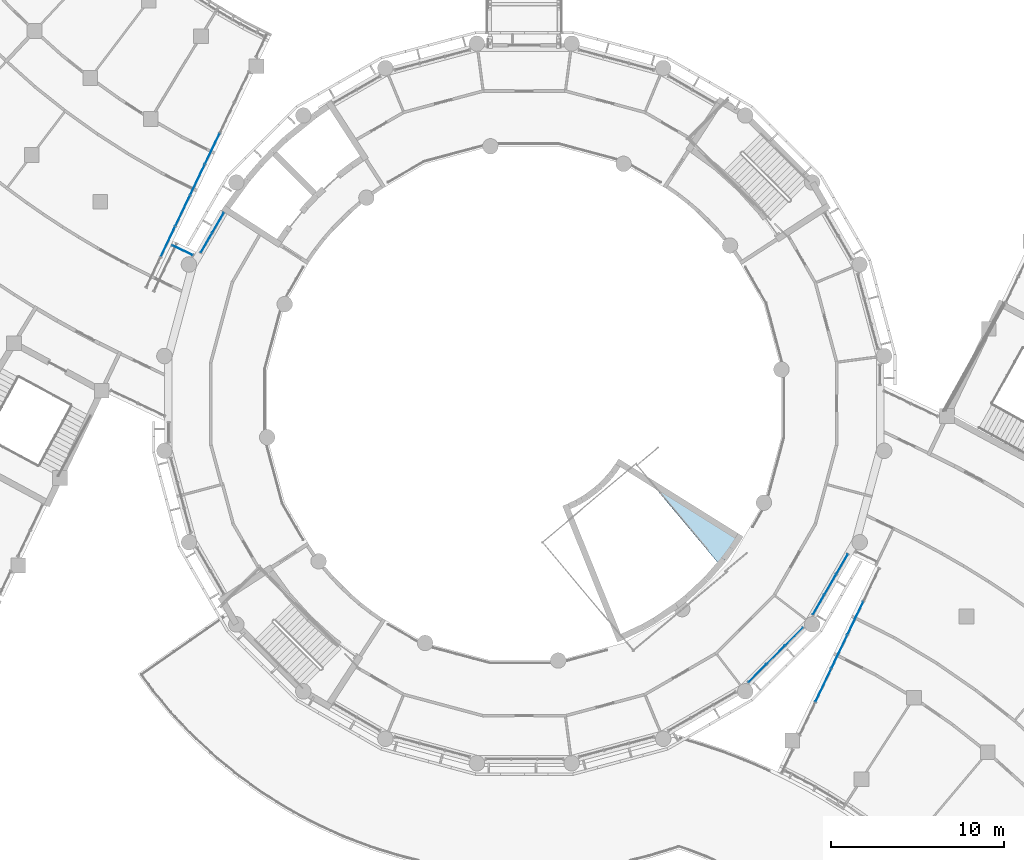
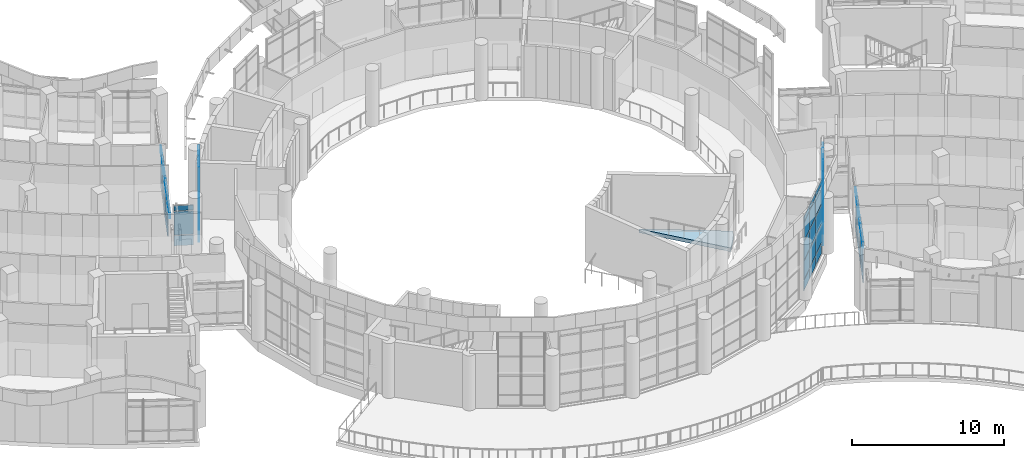
# One storey, part 44 of 136: 61 plates, 1 slab, 6 elements without a shape of their own.
"""IFC4 building model written with IfcOpenShell, lengths in metres."""

from ifc_helpers import new_model, si_unit, direction, frame, origin, origin_2d, place, context, subcontext, project, spatial, polyline, rectangle, outline, extrude, material, layer, layer_set, type_object, element, aggregate, save


model = new_model("IFC4")

# Units and contexts
model_context = context("Model", 3, precision=1e-05, world=origin(), true_north=direction((0.0, 1.0)))
body_context = subcontext(model_context, "Body", "Model", "MODEL_VIEW")
ifc_project = project(units=[si_unit("LENGTHUNIT", "METRE"), si_unit("AREAUNIT", "SQUARE_METRE"), si_unit("VOLUMEUNIT", "CUBIC_METRE"), si_unit("PLANEANGLEUNIT", "RADIAN"), si_unit("MASSUNIT", "GRAM", prefix="KILO")], contexts=[model_context])

# Site, building, storey
site_placement = place(None, origin())
site = spatial("IfcSite", under=ifc_project, at=site_placement, CompositionType="ELEMENT")
building_placement = place(site_placement, origin())
building = spatial("IfcBuilding", under=site, at=building_placement, Name="Bougainvillea Quay General Hospital", CompositionType="ELEMENT")
storey_placement = place(building_placement, frame((0.0, 0.0, 5.39990234375)))
storey = spatial("IfcBuildingStorey", under=building, at=storey_placement, Name="L01", CompositionType="ELEMENT", Elevation=5.39990234375)

# Curtain wall, plates
ifc_material_1 = material(Name="Aluminium curtain wall system, powder-coated glazed", Category="aluminium")
curtain_wall_type_1 = type_object("IfcCurtainWallType", Name="Unitised curtain wall CW-1422", PredefinedType="NOTDEFINED", material=ifc_material_1)
curtain_wall_1_placement = place(storey_placement, origin())
curtain_wall_1 = element("IfcCurtainWall", 1, at=curtain_wall_1_placement, inside=storey, type_object=curtain_wall_type_1, Name="CW-AE 00", PredefinedType="NOTDEFINED")
ifc_material_2 = material(Name="Insulated aluminium spandrel panel, white", Category="aluminium")
ifc_layer_1 = layer(ifc_material_2, 0.028076171875)
ifc_layer_set_1 = layer_set([ifc_layer_1], Name="Insulated aluminium spandrel panel, white")
plate_type_1 = type_object("IfcPlateType", Name="Insulated spandrel panel white 28", PredefinedType="CURTAIN_PANEL", material=ifc_layer_set_1)
plate_1_placement = place(storey_placement, frame((89.413818359375, 82.866455078125, 0.06005859375), z_axis=(0.0, 0.0, 1.0), x_axis=(-0.902574242771, 0.430534245195, 0.0)))
plate_1 = element("IfcPlate", 2, at=plate_1_placement, type_object=plate_type_1, Name="CW-AE spandrel panel 1.1", PredefinedType="CURTAIN_PANEL", context=body_context, shape_type="SweptSolid", body=[
    extrude(rectangle(XDim=1.301513671875, YDim=0.028076171875, at=origin_2d()), origin(), (0.0, 0.0, 1.0), 0.81005859375),
])
plate_2_placement = place(storey_placement, frame((89.413818359375, 82.866455078125, 2.88037109375), z_axis=(0.0, 0.0, 1.0), x_axis=(-0.902574242771, 0.430534245195, 0.0)))
plate_2 = element("IfcPlate", 3, at=plate_2_placement, type_object=plate_type_1, Name="CW-AE spandrel panel 1.3", PredefinedType="CURTAIN_PANEL", context=body_context, shape_type="SweptSolid", body=[
    extrude(rectangle(XDim=1.301513671875, YDim=0.028076171875, at=origin_2d()), origin(), (0.0, 0.0, 1.0), 0.409912109375),
])

curtain_wall_type_2 = type_object("IfcCurtainWallType", Name="Unitised curtain wall CW-1985", PredefinedType="NOTDEFINED", material=ifc_material_1)
curtain_wall_2_placement = place(storey_placement, origin())
curtain_wall_2 = element("IfcCurtainWall", 4, at=curtain_wall_2_placement, inside=storey, type_object=curtain_wall_type_2, Name="CW-AE 00", PredefinedType="NOTDEFINED")
plate_3_placement = place(storey_placement, frame((88.584228515625, 83.35986328125, 2.88037109375), z_axis=(0.0, 0.0, 1.0), x_axis=(0.430563040838, 0.902560506484, 0.0)))
plate_3 = element("IfcPlate", 5, at=plate_3_placement, type_object=plate_type_1, Name="CW-AE spandrel panel 2.3", PredefinedType="CURTAIN_PANEL", context=body_context, shape_type="SweptSolid", body=[
    extrude(rectangle(XDim=1.9248046875, YDim=0.028076171875, at=origin_2d()), origin(), (0.0, 0.0, 1.0), 0.409912109375),
])
plate_4_placement = place(storey_placement, frame((89.43896484375, 85.1513671875, 0.06005859375), z_axis=(0.0, 0.0, 1.0), x_axis=(0.430563040838, 0.902560506484, 0.0)))
plate_4 = element("IfcPlate", 6, at=plate_4_placement, type_object=plate_type_1, Name="CW-AE spandrel panel 3.1", PredefinedType="CURTAIN_PANEL", context=body_context, shape_type="SweptSolid", body=[
    extrude(rectangle(XDim=1.9248046875, YDim=0.028076171875, at=origin_2d()), origin(), (0.0, 0.0, 1.0), 0.81005859375),
])
plate_5_placement = place(storey_placement, frame((89.43896484375, 85.1513671875, 2.88037109375), z_axis=(0.0, 0.0, 1.0), x_axis=(0.430563040838, 0.902560506484, 0.0)))
plate_5 = element("IfcPlate", 7, at=plate_5_placement, type_object=plate_type_1, Name="CW-AE spandrel panel 3.3", PredefinedType="CURTAIN_PANEL", context=body_context, shape_type="SweptSolid", body=[
    extrude(rectangle(XDim=1.9248046875, YDim=0.028076171875, at=origin_2d()), origin(), (0.0, 0.0, 1.0), 0.409912109375),
])
plate_6_placement = place(storey_placement, frame((90.29345703125, 86.94287109375, 0.06005859375), z_axis=(0.0, 0.0, 1.0), x_axis=(0.430563040838, 0.902560506484, 0.0)))
plate_6 = element("IfcPlate", 8, at=plate_6_placement, type_object=plate_type_1, Name="CW-AE spandrel panel 4.1", PredefinedType="CURTAIN_PANEL", context=body_context, shape_type="SweptSolid", body=[
    extrude(rectangle(XDim=1.9248046875, YDim=0.028076171875, at=origin_2d()), origin(), (0.0, 0.0, 1.0), 0.81005859375),
])
plate_7_placement = place(storey_placement, frame((90.29345703125, 86.94287109375, 2.88037109375), z_axis=(0.0, 0.0, 1.0), x_axis=(0.430563040838, 0.902560506484, 0.0)))
plate_7 = element("IfcPlate", 9, at=plate_7_placement, type_object=plate_type_1, Name="CW-AE spandrel panel 4.3", PredefinedType="CURTAIN_PANEL", context=body_context, shape_type="SweptSolid", body=[
    extrude(rectangle(XDim=1.9248046875, YDim=0.028076171875, at=origin_2d()), origin(), (0.0, 0.0, 1.0), 0.409912109375),
])
plate_8_placement = place(storey_placement, frame((91.148193359375, 88.734375, 0.06005859375), z_axis=(0.0, 0.0, 1.0), x_axis=(0.430563040838, 0.902560506484, 0.0)))
plate_8 = element("IfcPlate", 10, at=plate_8_placement, type_object=plate_type_1, Name="CW-AE spandrel panel 5.1", PredefinedType="CURTAIN_PANEL", context=body_context, shape_type="SweptSolid", body=[
    extrude(rectangle(XDim=1.9248046875, YDim=0.028076171875, at=origin_2d()), origin(), (0.0, 0.0, 1.0), 0.81005859375),
])
plate_9_placement = place(storey_placement, frame((91.148193359375, 88.734375, 2.88037109375), z_axis=(0.0, 0.0, 1.0), x_axis=(0.430563040838, 0.902560506484, 0.0)))
plate_9 = element("IfcPlate", 11, at=plate_9_placement, type_object=plate_type_1, Name="CW-AE spandrel panel 5.3", PredefinedType="CURTAIN_PANEL", context=body_context, shape_type="SweptSolid", body=[
    extrude(rectangle(XDim=1.9248046875, YDim=0.028076171875, at=origin_2d()), origin(), (0.0, 0.0, 1.0), 0.409912109375),
])

curtain_wall_type_3 = type_object("IfcCurtainWallType", Name="Unitised curtain wall CW-2152", PredefinedType="NOTDEFINED", material=ifc_material_1)
curtain_wall_3_placement = place(storey_placement, origin())
curtain_wall_3 = element("IfcCurtainWall", 12, at=curtain_wall_3_placement, inside=storey, type_object=curtain_wall_type_3, Name="CW-AE 00", PredefinedType="NOTDEFINED")
plate_10_placement = place(storey_placement, frame((128.3564453125, 61.582275390625, 0.06005859375), z_axis=(0.0, 0.0, 1.0), x_axis=(-0.430530445105, -0.902576055431, 0.0)))
plate_10 = element("IfcPlate", 13, at=plate_10_placement, type_object=plate_type_1, Name="CW-AE spandrel panel 2.1", PredefinedType="CURTAIN_PANEL", context=body_context, shape_type="SweptSolid", body=[
    extrude(rectangle(XDim=2.091064453125, YDim=0.028076171875, at=origin_2d()), origin(), (0.0, 0.0, 1.0), 0.81005859375),
])
plate_11_placement = place(storey_placement, frame((128.3564453125, 61.582275390625, 2.88037109375), z_axis=(0.0, 0.0, 1.0), x_axis=(-0.430530445105, -0.902576055431, 0.0)))
plate_11 = element("IfcPlate", 14, at=plate_11_placement, type_object=plate_type_1, Name="CW-AE spandrel panel 2.3", PredefinedType="CURTAIN_PANEL", context=body_context, shape_type="SweptSolid", body=[
    extrude(rectangle(XDim=2.091064453125, YDim=0.028076171875, at=origin_2d()), origin(), (0.0, 0.0, 1.0), 0.409912109375),
])
plate_12_placement = place(storey_placement, frame((127.430419921875, 59.640625, 0.06005859375), z_axis=(0.0, 0.0, 1.0), x_axis=(-0.430530445105, -0.902576055431, 0.0)))
plate_12 = element("IfcPlate", 15, at=plate_12_placement, type_object=plate_type_1, Name="CW-AE spandrel panel 3.1", PredefinedType="CURTAIN_PANEL", context=body_context, shape_type="SweptSolid", body=[
    extrude(rectangle(XDim=2.091064453125, YDim=0.028076171875, at=origin_2d()), origin(), (0.0, 0.0, 1.0), 0.81005859375),
])
plate_13_placement = place(storey_placement, frame((127.430419921875, 59.640625, 2.88037109375), z_axis=(0.0, 0.0, 1.0), x_axis=(-0.430530445105, -0.902576055431, 0.0)))
plate_13 = element("IfcPlate", 16, at=plate_13_placement, type_object=plate_type_1, Name="CW-AE spandrel panel 3.3", PredefinedType="CURTAIN_PANEL", context=body_context, shape_type="SweptSolid", body=[
    extrude(rectangle(XDim=2.091064453125, YDim=0.028076171875, at=origin_2d()), origin(), (0.0, 0.0, 1.0), 0.409912109375),
])
plate_14_placement = place(storey_placement, frame((126.50439453125, 57.69921875, 0.06005859375), z_axis=(0.0, 0.0, 1.0), x_axis=(-0.430530445105, -0.902576055431, 0.0)))
plate_14 = element("IfcPlate", 17, at=plate_14_placement, type_object=plate_type_1, Name="CW-AE spandrel panel 4.1", PredefinedType="CURTAIN_PANEL", context=body_context, shape_type="SweptSolid", body=[
    extrude(rectangle(XDim=2.091064453125, YDim=0.028076171875, at=origin_2d()), origin(), (0.0, 0.0, 1.0), 0.81005859375),
])
plate_15_placement = place(storey_placement, frame((126.50439453125, 57.69921875, 2.88037109375), z_axis=(0.0, 0.0, 1.0), x_axis=(-0.430530445105, -0.902576055431, 0.0)))
plate_15 = element("IfcPlate", 18, at=plate_15_placement, type_object=plate_type_1, Name="CW-AE spandrel panel 4.3", PredefinedType="CURTAIN_PANEL", context=body_context, shape_type="SweptSolid", body=[
    extrude(rectangle(XDim=2.091064453125, YDim=0.028076171875, at=origin_2d()), origin(), (0.0, 0.0, 1.0), 0.409912109375),
])

curtain_wall_type_4 = type_object("IfcCurtainWallType", Name="Unitised curtain wall CW-1514", PredefinedType="NOTDEFINED", material=ifc_material_1)
curtain_wall_4_placement = place(storey_placement, origin())
curtain_wall_4 = element("IfcCurtainWall", 19, at=curtain_wall_4_placement, inside=storey, type_object=curtain_wall_type_4, Name="CW-D 00", PredefinedType="NOTDEFINED")
plate_16_placement = place(storey_placement, frame((122.685302734375, 58.39501953125, 0.06005859375), z_axis=(0.0, 0.0, 1.0), x_axis=(0.707106781187, 0.707106781187, 0.0)))
plate_16 = element("IfcPlate", 20, at=plate_16_placement, type_object=plate_type_1, Name="CW-D spandrel panel 1.1", PredefinedType="CURTAIN_PANEL", context=body_context, shape_type="SweptSolid", body=[
    extrude(rectangle(XDim=1.423828125, YDim=0.028076171875, at=origin_2d()), origin(), (0.0, 0.0, 1.0), 0.81005859375),
])
plate_17_placement = place(storey_placement, frame((122.685302734375, 58.39501953125, 5.580078125), z_axis=(0.0, 0.0, 1.0), x_axis=(0.707106781187, 0.707106781187, 0.0)))
plate_17 = element("IfcPlate", 21, at=plate_17_placement, type_object=plate_type_1, Name="CW-D spandrel panel 1.5", PredefinedType="CURTAIN_PANEL", context=body_context, shape_type="SweptSolid", body=[
    extrude(rectangle(XDim=1.423828125, YDim=0.028076171875, at=origin_2d()), origin(), (0.0, 0.0, 1.0), 0.409912109375),
])
plate_18_placement = place(storey_placement, frame((123.7451171875, 59.454833984375, 0.06005859375), z_axis=(0.0, 0.0, 1.0), x_axis=(0.707106781187, 0.707106781187, 0.0)))
plate_18 = element("IfcPlate", 22, at=plate_18_placement, type_object=plate_type_1, Name="CW-D spandrel panel 2.1", PredefinedType="CURTAIN_PANEL", context=body_context, shape_type="SweptSolid", body=[
    extrude(rectangle(XDim=1.453857421875, YDim=0.028076171875, at=origin_2d()), origin(), (0.0, 0.0, 1.0), 0.81005859375),
])
plate_19_placement = place(storey_placement, frame((123.7451171875, 59.454833984375, 5.580078125), z_axis=(0.0, 0.0, 1.0), x_axis=(0.707106781187, 0.707106781187, 0.0)))
plate_19 = element("IfcPlate", 23, at=plate_19_placement, type_object=plate_type_1, Name="CW-D spandrel panel 2.5", PredefinedType="CURTAIN_PANEL", context=body_context, shape_type="SweptSolid", body=[
    extrude(rectangle(XDim=1.453857421875, YDim=0.028076171875, at=origin_2d()), origin(), (0.0, 0.0, 1.0), 0.409912109375),
])
plate_20_placement = place(storey_placement, frame((124.80517578125, 60.5146484375, 0.06005859375), z_axis=(0.0, 0.0, 1.0), x_axis=(0.707106781187, 0.707106781187, 0.0)))
plate_20 = element("IfcPlate", 24, at=plate_20_placement, type_object=plate_type_1, Name="CW-D spandrel panel 3.1", PredefinedType="CURTAIN_PANEL", context=body_context, shape_type="SweptSolid", body=[
    extrude(rectangle(XDim=1.423828125, YDim=0.028076171875, at=origin_2d()), origin(), (0.0, 0.0, 1.0), 0.81005859375),
])
plate_21_placement = place(storey_placement, frame((124.80517578125, 60.5146484375, 5.580078125), z_axis=(0.0, 0.0, 1.0), x_axis=(0.707106781187, 0.707106781187, 0.0)))
plate_21 = element("IfcPlate", 25, at=plate_21_placement, type_object=plate_type_1, Name="CW-D spandrel panel 3.5", PredefinedType="CURTAIN_PANEL", context=body_context, shape_type="SweptSolid", body=[
    extrude(rectangle(XDim=1.423828125, YDim=0.028076171875, at=origin_2d()), origin(), (0.0, 0.0, 1.0), 0.409912109375),
])

curtain_wall_type_5 = type_object("IfcCurtainWallType", Name="Unitised curtain wall CW-1373", PredefinedType="NOTDEFINED", material=ifc_material_1)
curtain_wall_5_placement = place(storey_placement, origin())
curtain_wall_5 = element("IfcCurtainWall", 26, at=curtain_wall_5_placement, inside=storey, type_object=curtain_wall_type_5, Name="CW-D 00", PredefinedType="NOTDEFINED")
plate_22_placement = place(storey_placement, frame((126.22900390625, 62.355224609375, 0.06005859375), z_axis=(0.0, 0.0, 1.0), x_axis=(0.499961526253, 0.866047615473, 0.0)))
plate_22 = element("IfcPlate", 27, at=plate_22_placement, type_object=plate_type_1, Name="CW-D spandrel panel 1.1", PredefinedType="CURTAIN_PANEL", context=body_context, shape_type="SweptSolid", body=[
    extrude(rectangle(XDim=1.2822265625, YDim=0.028076171875, at=origin_2d()), origin(), (0.0, 0.0, 1.0), 0.81005859375),
])
plate_23_placement = place(storey_placement, frame((126.22900390625, 62.355224609375, 5.580078125), z_axis=(0.0, 0.0, 1.0), x_axis=(0.499961526253, 0.866047615473, 0.0)))
plate_23 = element("IfcPlate", 28, at=plate_23_placement, type_object=plate_type_1, Name="CW-D spandrel panel 1.5", PredefinedType="CURTAIN_PANEL", context=body_context, shape_type="SweptSolid", body=[
    extrude(rectangle(XDim=1.2822265625, YDim=0.028076171875, at=origin_2d()), origin(), (0.0, 0.0, 1.0), 0.409912109375),
])
plate_24_placement = place(storey_placement, frame((126.907470703125, 63.530517578125, 0.06005859375), z_axis=(0.0, 0.0, 1.0), x_axis=(0.499961526253, 0.866047615473, 0.0)))
plate_24 = element("IfcPlate", 29, at=plate_24_placement, type_object=plate_type_1, Name="CW-D spandrel panel 2.1", PredefinedType="CURTAIN_PANEL", context=body_context, shape_type="SweptSolid", body=[
    extrude(rectangle(XDim=1.31201171875, YDim=0.028076171875, at=origin_2d()), origin(), (0.0, 0.0, 1.0), 0.81005859375),
])
plate_25_placement = place(storey_placement, frame((126.907470703125, 63.530517578125, 5.580078125), z_axis=(0.0, 0.0, 1.0), x_axis=(0.499961526253, 0.866047615473, 0.0)))
plate_25 = element("IfcPlate", 30, at=plate_25_placement, type_object=plate_type_1, Name="CW-D spandrel panel 2.5", PredefinedType="CURTAIN_PANEL", context=body_context, shape_type="SweptSolid", body=[
    extrude(rectangle(XDim=1.31201171875, YDim=0.028076171875, at=origin_2d()), origin(), (0.0, 0.0, 1.0), 0.409912109375),
])
plate_26_placement = place(storey_placement, frame((127.5859375, 64.705810546875, 0.06005859375), z_axis=(0.0, 0.0, 1.0), x_axis=(0.499961526253, 0.866047615473, 0.0)))
plate_26 = element("IfcPlate", 31, at=plate_26_placement, type_object=plate_type_1, Name="CW-D spandrel panel 3.1", PredefinedType="CURTAIN_PANEL", context=body_context, shape_type="SweptSolid", body=[
    extrude(rectangle(XDim=1.2822265625, YDim=0.028076171875, at=origin_2d()), origin(), (0.0, 0.0, 1.0), 0.81005859375),
])

curtain_wall_type_6 = type_object("IfcCurtainWallType", Name="Unitised curtain wall CW-1372", PredefinedType="NOTDEFINED", material=ifc_material_1)
curtain_wall_6_placement = place(storey_placement, origin())
curtain_wall_6 = element("IfcCurtainWall", 32, at=curtain_wall_6_placement, inside=storey, type_object=curtain_wall_type_6, Name="CW-D 00", PredefinedType="NOTDEFINED")
plate_27_placement = place(storey_placement, frame((91.48486328125, 84.456298828125, 0.06005859375), z_axis=(0.0, 0.0, 1.0), x_axis=(-0.499961526253, -0.866047615473, 0.0)))
plate_27 = element("IfcPlate", 33, at=plate_27_placement, type_object=plate_type_1, Name="CW-D spandrel panel 1.1", PredefinedType="CURTAIN_PANEL", context=body_context, shape_type="SweptSolid", body=[
    extrude(rectangle(XDim=1.281982421875, YDim=0.028076171875, at=origin_2d()), origin(), (0.0, 0.0, 1.0), 0.81005859375),
])
plate_28_placement = place(storey_placement, frame((91.48486328125, 84.456298828125, 5.580078125), z_axis=(0.0, 0.0, 1.0), x_axis=(-0.499961526253, -0.866047615473, 0.0)))
plate_28 = element("IfcPlate", 34, at=plate_28_placement, type_object=plate_type_1, Name="CW-D spandrel panel 1.5", PredefinedType="CURTAIN_PANEL", context=body_context, shape_type="SweptSolid", body=[
    extrude(rectangle(XDim=1.281982421875, YDim=0.028076171875, at=origin_2d()), origin(), (0.0, 0.0, 1.0), 0.409912109375),
])
plate_29_placement = place(storey_placement, frame((90.81396484375, 83.294189453125, 0.06005859375), z_axis=(0.0, 0.0, 1.0), x_axis=(-0.499961526253, -0.866047615473, 0.0)))
plate_29 = element("IfcPlate", 35, at=plate_29_placement, type_object=plate_type_1, Name="CW-D spandrel panel 2.1", PredefinedType="CURTAIN_PANEL", context=body_context, shape_type="SweptSolid", body=[
    extrude(rectangle(XDim=1.281982421875, YDim=0.028076171875, at=origin_2d()), origin(), (0.0, 0.0, 1.0), 0.81005859375),
])
plate_30_placement = place(storey_placement, frame((90.81396484375, 83.294189453125, 5.580078125), z_axis=(0.0, 0.0, 1.0), x_axis=(-0.499961526253, -0.866047615473, 0.0)))
plate_30 = element("IfcPlate", 36, at=plate_30_placement, type_object=plate_type_1, Name="CW-D spandrel panel 2.5", PredefinedType="CURTAIN_PANEL", context=body_context, shape_type="SweptSolid", body=[
    extrude(rectangle(XDim=1.281982421875, YDim=0.028076171875, at=origin_2d()), origin(), (0.0, 0.0, 1.0), 0.409912109375),
])

# Plate
ifc_material_3 = material(Name="Low-e laminated glass, solar control", Category="glass")
ifc_layer_2 = layer(ifc_material_3, 0.028076171875)
ifc_layer_set_2 = layer_set([ifc_layer_2], Name="Low-e laminated glass, solar control")
plate_type_2 = type_object("IfcPlateType", Name="Low-e laminated vision glass 28", PredefinedType="CURTAIN_PANEL", material=ifc_layer_set_2)
plate_31_placement = place(storey_placement, frame((89.413818359375, 82.866455078125, 0.93017578125), z_axis=(0.0, 0.0, 1.0), x_axis=(-0.902574242771, 0.430534245195, 0.0)))
plate_31 = element("IfcPlate", 37, at=plate_31_placement, type_object=plate_type_2, Name="CW-AE vision glass panel 1.2", PredefinedType="CURTAIN_PANEL", context=body_context, shape_type="SweptSolid", body=[
    extrude(rectangle(XDim=1.301513671875, YDim=0.028076171875, at=origin_2d()), origin(), (0.0, 0.0, 1.0), 1.889892578125),
])

aggregate(curtain_wall_1, [plate_1, plate_31, plate_2])

plate_32_placement = place(storey_placement, frame((89.43896484375, 85.1513671875, 0.93017578125), z_axis=(0.0, 0.0, 1.0), x_axis=(0.430563040838, 0.902560506484, 0.0)))
plate_32 = element("IfcPlate", 38, at=plate_32_placement, type_object=plate_type_2, Name="CW-AE vision glass panel 3.2", PredefinedType="CURTAIN_PANEL", context=body_context, shape_type="SweptSolid", body=[
    extrude(rectangle(XDim=1.9248046875, YDim=0.028076171875, at=origin_2d()), origin(), (0.0, 0.0, 1.0), 1.889892578125),
])

plate_33_placement = place(storey_placement, frame((90.29345703125, 86.94287109375, 0.93017578125), z_axis=(0.0, 0.0, 1.0), x_axis=(0.430563040838, 0.902560506484, 0.0)))
plate_33 = element("IfcPlate", 39, at=plate_33_placement, type_object=plate_type_2, Name="CW-AE vision glass panel 4.2", PredefinedType="CURTAIN_PANEL", context=body_context, shape_type="SweptSolid", body=[
    extrude(rectangle(XDim=1.9248046875, YDim=0.028076171875, at=origin_2d()), origin(), (0.0, 0.0, 1.0), 1.889892578125),
])

plate_34_placement = place(storey_placement, frame((91.148193359375, 88.734375, 0.93017578125), z_axis=(0.0, 0.0, 1.0), x_axis=(0.430563040838, 0.902560506484, 0.0)))
plate_34 = element("IfcPlate", 40, at=plate_34_placement, type_object=plate_type_2, Name="CW-AE vision glass panel 5.2", PredefinedType="CURTAIN_PANEL", context=body_context, shape_type="SweptSolid", body=[
    extrude(rectangle(XDim=1.9248046875, YDim=0.028076171875, at=origin_2d()), origin(), (0.0, 0.0, 1.0), 1.889892578125),
])

aggregate(curtain_wall_2, [plate_3, plate_4, plate_32, plate_5, plate_6, plate_33, plate_7, plate_8, plate_34, plate_9])

plate_35_placement = place(storey_placement, frame((128.3564453125, 61.582275390625, 0.93017578125), z_axis=(0.0, 0.0, 1.0), x_axis=(-0.430530445105, -0.902576055431, 0.0)))
plate_35 = element("IfcPlate", 41, at=plate_35_placement, type_object=plate_type_2, Name="CW-AE vision glass panel 2.2", PredefinedType="CURTAIN_PANEL", context=body_context, shape_type="SweptSolid", body=[
    extrude(rectangle(XDim=2.091064453125, YDim=0.028076171875, at=origin_2d()), origin(), (0.0, 0.0, 1.0), 1.889892578125),
])

plate_36_placement = place(storey_placement, frame((127.430419921875, 59.640625, 0.93017578125), z_axis=(0.0, 0.0, 1.0), x_axis=(-0.430530445105, -0.902576055431, 0.0)))
plate_36 = element("IfcPlate", 42, at=plate_36_placement, type_object=plate_type_2, Name="CW-AE vision glass panel 3.2", PredefinedType="CURTAIN_PANEL", context=body_context, shape_type="SweptSolid", body=[
    extrude(rectangle(XDim=2.091064453125, YDim=0.028076171875, at=origin_2d()), origin(), (0.0, 0.0, 1.0), 1.889892578125),
])

plate_37_placement = place(storey_placement, frame((126.50439453125, 57.69921875, 0.93017578125), z_axis=(0.0, 0.0, 1.0), x_axis=(-0.430530445105, -0.902576055431, 0.0)))
plate_37 = element("IfcPlate", 43, at=plate_37_placement, type_object=plate_type_2, Name="CW-AE vision glass panel 4.2", PredefinedType="CURTAIN_PANEL", context=body_context, shape_type="SweptSolid", body=[
    extrude(rectangle(XDim=2.091064453125, YDim=0.028076171875, at=origin_2d()), origin(), (0.0, 0.0, 1.0), 1.889892578125),
])

aggregate(curtain_wall_3, [plate_10, plate_35, plate_11, plate_12, plate_36, plate_13, plate_14, plate_37, plate_15])

plate_38_placement = place(storey_placement, frame((122.685302734375, 58.39501953125, 0.93017578125), z_axis=(0.0, 0.0, 1.0), x_axis=(0.707106781187, 0.707106781187, 0.0)))
plate_38 = element("IfcPlate", 44, at=plate_38_placement, type_object=plate_type_2, Name="CW-D vision glass panel 1.2", PredefinedType="CURTAIN_PANEL", context=body_context, shape_type="SweptSolid", body=[
    extrude(rectangle(XDim=1.423828125, YDim=0.028076171875, at=origin_2d()), origin(), (0.0, 0.0, 1.0), 1.489990234375),
])

plate_39_placement = place(storey_placement, frame((122.685302734375, 58.39501953125, 2.47998046875), z_axis=(0.0, 0.0, 1.0), x_axis=(0.707106781187, 0.707106781187, 0.0)))
plate_39 = element("IfcPlate", 45, at=plate_39_placement, type_object=plate_type_2, Name="CW-D vision glass panel 1.3", PredefinedType="CURTAIN_PANEL", context=body_context, shape_type="SweptSolid", body=[
    extrude(rectangle(XDim=1.423828125, YDim=0.028076171875, at=origin_2d()), origin(), (0.0, 0.0, 1.0), 1.489990234375),
])

plate_40_placement = place(storey_placement, frame((122.685302734375, 58.39501953125, 4.0302734375), z_axis=(0.0, 0.0, 1.0), x_axis=(0.707106781187, 0.707106781187, 0.0)))
plate_40 = element("IfcPlate", 46, at=plate_40_placement, type_object=plate_type_2, Name="CW-D vision glass panel 1.4", PredefinedType="CURTAIN_PANEL", context=body_context, shape_type="SweptSolid", body=[
    extrude(rectangle(XDim=1.423828125, YDim=0.028076171875, at=origin_2d()), origin(), (0.0, 0.0, 1.0), 1.489990234375),
])

plate_41_placement = place(storey_placement, frame((123.7451171875, 59.454833984375, 0.93017578125), z_axis=(0.0, 0.0, 1.0), x_axis=(0.707106781187, 0.707106781187, 0.0)))
plate_41 = element("IfcPlate", 47, at=plate_41_placement, type_object=plate_type_2, Name="CW-D vision glass panel 2.2", PredefinedType="CURTAIN_PANEL", context=body_context, shape_type="SweptSolid", body=[
    extrude(rectangle(XDim=1.453857421875, YDim=0.028076171875, at=origin_2d()), origin(), (0.0, 0.0, 1.0), 1.489990234375),
])

plate_42_placement = place(storey_placement, frame((123.7451171875, 59.454833984375, 2.47998046875), z_axis=(0.0, 0.0, 1.0), x_axis=(0.707106781187, 0.707106781187, 0.0)))
plate_42 = element("IfcPlate", 48, at=plate_42_placement, type_object=plate_type_2, Name="CW-D vision glass panel 2.3", PredefinedType="CURTAIN_PANEL", context=body_context, shape_type="SweptSolid", body=[
    extrude(rectangle(XDim=1.453857421875, YDim=0.028076171875, at=origin_2d()), origin(), (0.0, 0.0, 1.0), 1.489990234375),
])

plate_43_placement = place(storey_placement, frame((123.7451171875, 59.454833984375, 4.0302734375), z_axis=(0.0, 0.0, 1.0), x_axis=(0.707106781187, 0.707106781187, 0.0)))
plate_43 = element("IfcPlate", 49, at=plate_43_placement, type_object=plate_type_2, Name="CW-D vision glass panel 2.4", PredefinedType="CURTAIN_PANEL", context=body_context, shape_type="SweptSolid", body=[
    extrude(rectangle(XDim=1.453857421875, YDim=0.028076171875, at=origin_2d()), origin(), (0.0, 0.0, 1.0), 1.489990234375),
])

plate_44_placement = place(storey_placement, frame((124.80517578125, 60.5146484375, 0.93017578125), z_axis=(0.0, 0.0, 1.0), x_axis=(0.707106781187, 0.707106781187, 0.0)))
plate_44 = element("IfcPlate", 50, at=plate_44_placement, type_object=plate_type_2, Name="CW-D vision glass panel 3.2", PredefinedType="CURTAIN_PANEL", context=body_context, shape_type="SweptSolid", body=[
    extrude(rectangle(XDim=1.423828125, YDim=0.028076171875, at=origin_2d()), origin(), (0.0, 0.0, 1.0), 1.489990234375),
])

plate_45_placement = place(storey_placement, frame((124.80517578125, 60.5146484375, 2.47998046875), z_axis=(0.0, 0.0, 1.0), x_axis=(0.707106781187, 0.707106781187, 0.0)))
plate_45 = element("IfcPlate", 51, at=plate_45_placement, type_object=plate_type_2, Name="CW-D vision glass panel 3.3", PredefinedType="CURTAIN_PANEL", context=body_context, shape_type="SweptSolid", body=[
    extrude(rectangle(XDim=1.423828125, YDim=0.028076171875, at=origin_2d()), origin(), (0.0, 0.0, 1.0), 1.489990234375),
])

plate_46_placement = place(storey_placement, frame((124.80517578125, 60.5146484375, 4.0302734375), z_axis=(0.0, 0.0, 1.0), x_axis=(0.707106781187, 0.707106781187, 0.0)))
plate_46 = element("IfcPlate", 52, at=plate_46_placement, type_object=plate_type_2, Name="CW-D vision glass panel 3.4", PredefinedType="CURTAIN_PANEL", context=body_context, shape_type="SweptSolid", body=[
    extrude(rectangle(XDim=1.423828125, YDim=0.028076171875, at=origin_2d()), origin(), (0.0, 0.0, 1.0), 1.489990234375),
])

aggregate(curtain_wall_4, [plate_16, plate_38, plate_39, plate_40, plate_17, plate_18, plate_41, plate_42, plate_43, plate_19, plate_20, plate_44, plate_45, plate_46, plate_21])

plate_47_placement = place(storey_placement, frame((126.22900390625, 62.355224609375, 0.93017578125), z_axis=(0.0, 0.0, 1.0), x_axis=(0.499961526253, 0.866047615473, 0.0)))
plate_47 = element("IfcPlate", 53, at=plate_47_placement, type_object=plate_type_2, Name="CW-D vision glass panel 1.2", PredefinedType="CURTAIN_PANEL", context=body_context, shape_type="SweptSolid", body=[
    extrude(rectangle(XDim=1.2822265625, YDim=0.028076171875, at=origin_2d()), origin(), (0.0, 0.0, 1.0), 1.489990234375),
])

plate_48_placement = place(storey_placement, frame((126.22900390625, 62.355224609375, 2.47998046875), z_axis=(0.0, 0.0, 1.0), x_axis=(0.499961526253, 0.866047615473, 0.0)))
plate_48 = element("IfcPlate", 54, at=plate_48_placement, type_object=plate_type_2, Name="CW-D vision glass panel 1.3", PredefinedType="CURTAIN_PANEL", context=body_context, shape_type="SweptSolid", body=[
    extrude(rectangle(XDim=1.2822265625, YDim=0.028076171875, at=origin_2d()), origin(), (0.0, 0.0, 1.0), 1.489990234375),
])

plate_49_placement = place(storey_placement, frame((126.22900390625, 62.355224609375, 4.0302734375), z_axis=(0.0, 0.0, 1.0), x_axis=(0.499961526253, 0.866047615473, 0.0)))
plate_49 = element("IfcPlate", 55, at=plate_49_placement, type_object=plate_type_2, Name="CW-D vision glass panel 1.4", PredefinedType="CURTAIN_PANEL", context=body_context, shape_type="SweptSolid", body=[
    extrude(rectangle(XDim=1.2822265625, YDim=0.028076171875, at=origin_2d()), origin(), (0.0, 0.0, 1.0), 1.489990234375),
])

plate_50_placement = place(storey_placement, frame((126.907470703125, 63.530517578125, 0.93017578125), z_axis=(0.0, 0.0, 1.0), x_axis=(0.499961526253, 0.866047615473, 0.0)))
plate_50 = element("IfcPlate", 56, at=plate_50_placement, type_object=plate_type_2, Name="CW-D vision glass panel 2.2", PredefinedType="CURTAIN_PANEL", context=body_context, shape_type="SweptSolid", body=[
    extrude(rectangle(XDim=1.31201171875, YDim=0.028076171875, at=origin_2d()), origin(), (0.0, 0.0, 1.0), 1.489990234375),
])

plate_51_placement = place(storey_placement, frame((126.907470703125, 63.530517578125, 2.47998046875), z_axis=(0.0, 0.0, 1.0), x_axis=(0.499961526253, 0.866047615473, 0.0)))
plate_51 = element("IfcPlate", 57, at=plate_51_placement, type_object=plate_type_2, Name="CW-D vision glass panel 2.3", PredefinedType="CURTAIN_PANEL", context=body_context, shape_type="SweptSolid", body=[
    extrude(rectangle(XDim=1.31201171875, YDim=0.028076171875, at=origin_2d()), origin(), (0.0, 0.0, 1.0), 1.489990234375),
])

plate_52_placement = place(storey_placement, frame((126.907470703125, 63.530517578125, 4.0302734375), z_axis=(0.0, 0.0, 1.0), x_axis=(0.499961526253, 0.866047615473, 0.0)))
plate_52 = element("IfcPlate", 58, at=plate_52_placement, type_object=plate_type_2, Name="CW-D vision glass panel 2.4", PredefinedType="CURTAIN_PANEL", context=body_context, shape_type="SweptSolid", body=[
    extrude(rectangle(XDim=1.31201171875, YDim=0.028076171875, at=origin_2d()), origin(), (0.0, 0.0, 1.0), 1.489990234375),
])

plate_53_placement = place(storey_placement, frame((127.5859375, 64.705810546875, 0.93017578125), z_axis=(0.0, 0.0, 1.0), x_axis=(0.499961526253, 0.866047615473, 0.0)))
plate_53 = element("IfcPlate", 59, at=plate_53_placement, type_object=plate_type_2, Name="CW-D vision glass panel 3.2", PredefinedType="CURTAIN_PANEL", context=body_context, shape_type="SweptSolid", body=[
    extrude(rectangle(XDim=1.2822265625, YDim=0.028076171875, at=origin_2d()), origin(), (0.0, 0.0, 1.0), 1.489990234375),
])

plate_54_placement = place(storey_placement, frame((127.5859375, 64.705810546875, 2.47998046875), z_axis=(0.0, 0.0, 1.0), x_axis=(0.499961526253, 0.866047615473, 0.0)))
plate_54 = element("IfcPlate", 60, at=plate_54_placement, type_object=plate_type_2, Name="CW-D vision glass panel 3.3", PredefinedType="CURTAIN_PANEL", context=body_context, shape_type="SweptSolid", body=[
    extrude(rectangle(XDim=1.2822265625, YDim=0.028076171875, at=origin_2d()), origin(), (0.0, 0.0, 1.0), 1.489990234375),
])

plate_55_placement = place(storey_placement, frame((127.5859375, 64.705810546875, 4.0302734375), z_axis=(0.0, 0.0, 1.0), x_axis=(0.499961526253, 0.866047615473, 0.0)))
plate_55 = element("IfcPlate", 61, at=plate_55_placement, type_object=plate_type_2, Name="CW-D vision glass panel 3.4", PredefinedType="CURTAIN_PANEL", context=body_context, shape_type="SweptSolid", body=[
    extrude(rectangle(XDim=1.2822265625, YDim=0.028076171875, at=origin_2d()), origin(), (0.0, 0.0, 1.0), 1.489990234375),
])

aggregate(curtain_wall_5, [plate_22, plate_47, plate_48, plate_49, plate_23, plate_24, plate_50, plate_51, plate_52, plate_25, plate_26, plate_53, plate_54, plate_55])

plate_56_placement = place(storey_placement, frame((91.48486328125, 84.456298828125, 0.93017578125), z_axis=(0.0, 0.0, 1.0), x_axis=(-0.499961526253, -0.866047615473, 0.0)))
plate_56 = element("IfcPlate", 62, at=plate_56_placement, type_object=plate_type_2, Name="CW-D vision glass panel 1.2", PredefinedType="CURTAIN_PANEL", context=body_context, shape_type="SweptSolid", body=[
    extrude(rectangle(XDim=1.281982421875, YDim=0.028076171875, at=origin_2d()), origin(), (0.0, 0.0, 1.0), 1.489990234375),
])

plate_57_placement = place(storey_placement, frame((91.48486328125, 84.456298828125, 2.47998046875), z_axis=(0.0, 0.0, 1.0), x_axis=(-0.499961526253, -0.866047615473, 0.0)))
plate_57 = element("IfcPlate", 63, at=plate_57_placement, type_object=plate_type_2, Name="CW-D vision glass panel 1.3", PredefinedType="CURTAIN_PANEL", context=body_context, shape_type="SweptSolid", body=[
    extrude(rectangle(XDim=1.281982421875, YDim=0.028076171875, at=origin_2d()), origin(), (0.0, 0.0, 1.0), 1.489990234375),
])

plate_58_placement = place(storey_placement, frame((91.48486328125, 84.456298828125, 4.0302734375), z_axis=(0.0, 0.0, 1.0), x_axis=(-0.499961526253, -0.866047615473, 0.0)))
plate_58 = element("IfcPlate", 64, at=plate_58_placement, type_object=plate_type_2, Name="CW-D vision glass panel 1.4", PredefinedType="CURTAIN_PANEL", context=body_context, shape_type="SweptSolid", body=[
    extrude(rectangle(XDim=1.281982421875, YDim=0.028076171875, at=origin_2d()), origin(), (0.0, 0.0, 1.0), 1.489990234375),
])

plate_59_placement = place(storey_placement, frame((90.81396484375, 83.294189453125, 0.93017578125), z_axis=(0.0, 0.0, 1.0), x_axis=(-0.499961526253, -0.866047615473, 0.0)))
plate_59 = element("IfcPlate", 65, at=plate_59_placement, type_object=plate_type_2, Name="CW-D vision glass panel 2.2", PredefinedType="CURTAIN_PANEL", context=body_context, shape_type="SweptSolid", body=[
    extrude(rectangle(XDim=1.281982421875, YDim=0.028076171875, at=origin_2d()), origin(), (0.0, 0.0, 1.0), 1.489990234375),
])

plate_60_placement = place(storey_placement, frame((90.81396484375, 83.294189453125, 2.47998046875), z_axis=(0.0, 0.0, 1.0), x_axis=(-0.499961526253, -0.866047615473, 0.0)))
plate_60 = element("IfcPlate", 66, at=plate_60_placement, type_object=plate_type_2, Name="CW-D vision glass panel 2.3", PredefinedType="CURTAIN_PANEL", context=body_context, shape_type="SweptSolid", body=[
    extrude(rectangle(XDim=1.281982421875, YDim=0.028076171875, at=origin_2d()), origin(), (0.0, 0.0, 1.0), 1.489990234375),
])

plate_61_placement = place(storey_placement, frame((90.81396484375, 83.294189453125, 4.0302734375), z_axis=(0.0, 0.0, 1.0), x_axis=(-0.499961526253, -0.866047615473, 0.0)))
plate_61 = element("IfcPlate", 67, at=plate_61_placement, type_object=plate_type_2, Name="CW-D vision glass panel 2.4", PredefinedType="CURTAIN_PANEL", context=body_context, shape_type="SweptSolid", body=[
    extrude(rectangle(XDim=1.281982421875, YDim=0.028076171875, at=origin_2d()), origin(), (0.0, 0.0, 1.0), 1.489990234375),
])

aggregate(curtain_wall_6, [plate_27, plate_56, plate_57, plate_58, plate_28, plate_29, plate_59, plate_60, plate_61, plate_30])

# Slab
ifc_material_4 = material(Name="Concrete C35", Category="concrete")
ifc_layer_3 = layer(ifc_material_4, 0.300048828125)
ifc_layer_set_3 = layer_set([ifc_layer_3], Name="Concrete C35")
slab_type = type_object("IfcSlabType", Name="RC FLAT SLAB 300 C35", PredefinedType="FLOOR", material=ifc_layer_set_3)
slab_placement = place(storey_placement, frame((0.0, 0.0, -0.2998046875)))
element("IfcSlab", 68, at=slab_placement, inside=storey, type_object=slab_type, Name="Stair landing floor ST-H3 L01", PredefinedType="FLOOR", context=body_context, shape_type="SweptSolid", body=[
    extrude(outline(polyline([(121.5302734375, 66.00439453125), (121.241943359375, 65.568359375), (120.783447265625, 64.9501953125), (120.525146484375, 64.636962890625), (116.384033203125, 69.5703125), (120.911865234375, 66.740966796875), (121.01611328125, 66.616943359375), (121.6240234375, 66.237060546875), (121.49658203125, 66.044189453125), (121.5302734375, 66.00439453125)])), origin(), (0.0, 0.0, 1.0), 0.2998046875),
])

save(model, "model.ifc")
